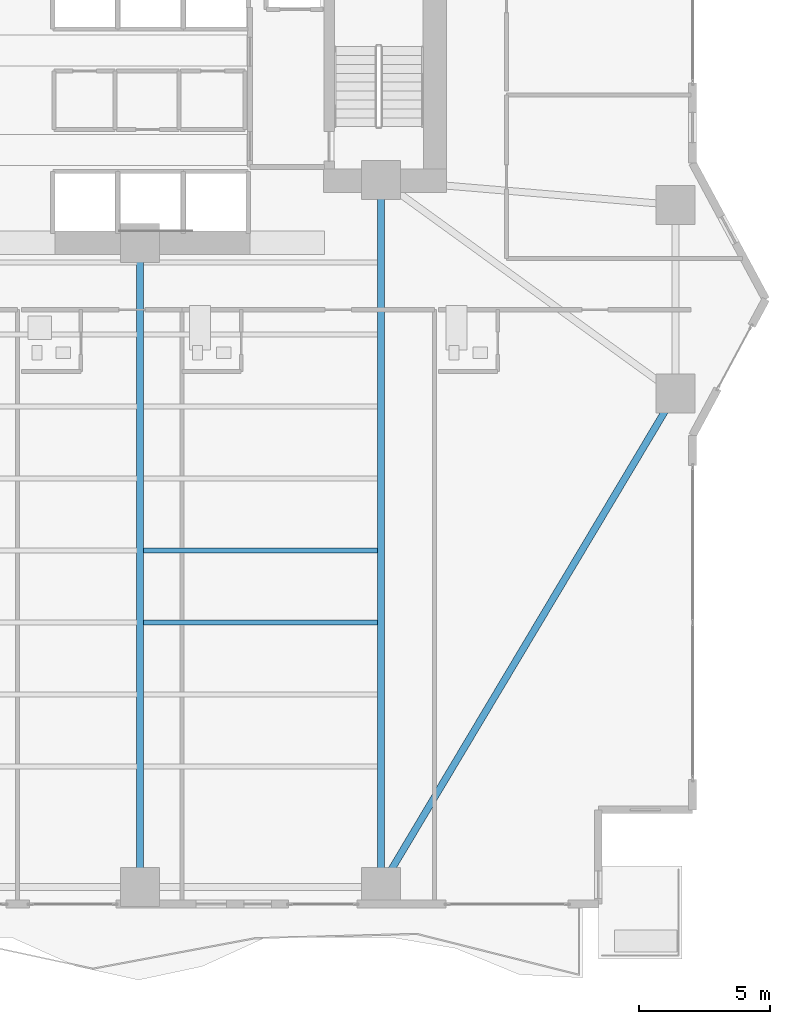
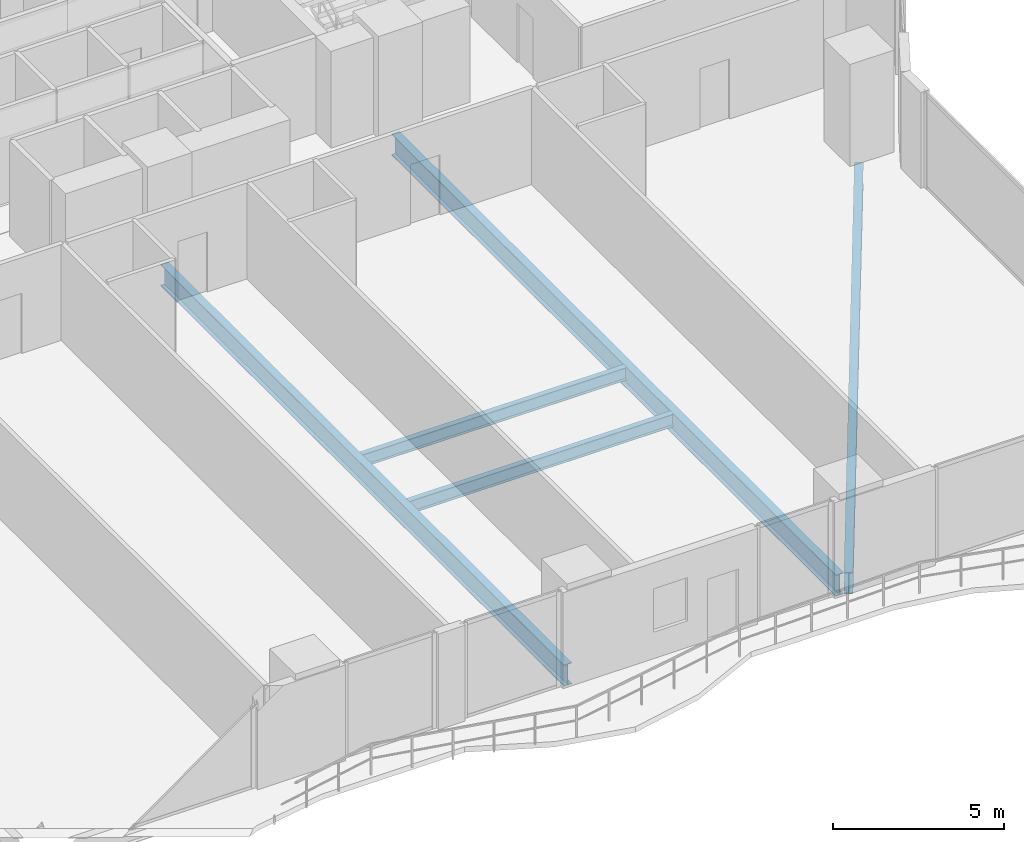
# One storey, part 9 of 30: 5 beams.
"""IFC4 building model written with IfcOpenShell, lengths in metres."""

import ifcopenshell
import ifcopenshell.guid

model = None  # the IFC model being written
_history = None  # IfcOwnerHistory: only IFC2X3 demands one
_inside = {}  # id of a spatial element -> (the spatial element, [elements in it])
_under = {}  # id of a project, library or spatial element -> (it, [spatial elements below it])
_declared = {}  # id of a project -> (the project, [libraries it declares])
_typed = {}  # id of a type object -> (the type object, [elements of that type])
_made_of = {}  # id of a material, layer set ... -> (it, [elements and type objects made of it])


def new_model(schema):
    """Start an empty IFC model of exactly this schema.

    Asked for "IFC4X3", IfcOpenShell would pick the latest addendum, in which some entities
    have other attributes; the version numbers below select the first issue.
    IFC2X3 requires an IfcOwnerHistory on every rooted entity: one is made here for all.
    """
    global model, _history
    if schema == "IFC4X3":
        model = ifcopenshell.file(schema_version=(4, 3, 0, 0))
    else:
        model = ifcopenshell.file(schema=schema)
    _inside.clear()
    _under.clear()
    _declared.clear()
    _typed.clear()
    _made_of.clear()
    _history = None
    if model.schema == "IFC2X3":
        org = make("IfcOrganization", Name="unknown")
        user = make(
            "IfcPersonAndOrganization",
            ThePerson=make("IfcPerson", FamilyName="unknown"),
            TheOrganization=org,
        )
        app = make(
            "IfcApplication",
            ApplicationDeveloper=org,
            Version="unknown",
            ApplicationFullName="unknown",
            ApplicationIdentifier="unknown",
        )
        _history = make(
            "IfcOwnerHistory",
            OwningUser=user,
            OwningApplication=app,
            ChangeAction="ADDED",
            CreationDate=0,
        )
    return model


def make(cls, **values):
    """One entity of the class cls with the attributes given. An attribute that is None is left unset."""
    return model.create_entity(
        cls, **{name: value for name, value in values.items() if value is not None}
    )


def rooted(cls, **values):
    """An entity with a GlobalId (a new one), such as an element, a storey or a relation."""
    return make(cls, GlobalId=ifcopenshell.guid.new(), OwnerHistory=_history, **values)


def si_unit(unit_type, name, prefix=None):
    """IfcSIUnit, for example si_unit("LENGTHUNIT", "METRE", prefix="MILLI")."""
    return make("IfcSIUnit", UnitType=unit_type, Prefix=prefix, Name=name)


def assignment(units):
    """IfcUnitAssignment: the units of a project."""
    return None if units is None else make("IfcUnitAssignment", Units=units)


def point(xyz):
    """IfcCartesianPoint."""
    return None if xyz is None else make("IfcCartesianPoint", Coordinates=xyz)


def direction(xyz):
    """IfcDirection."""
    return None if xyz is None else make("IfcDirection", DirectionRatios=xyz)


def frame(location, z_axis=None, x_axis=None):
    """IfcAxis2Placement3D, a coordinate frame: its origin and axes. An axis left out is left unset."""
    return make(
        "IfcAxis2Placement3D",
        Location=point(location),
        Axis=direction(z_axis),
        RefDirection=direction(x_axis),
    )


def frame_2d(location, x_axis=None):
    """IfcAxis2Placement2D, a coordinate frame in the plane: its origin and x axis."""
    return make(
        "IfcAxis2Placement2D", Location=point(location), RefDirection=direction(x_axis)
    )


def origin():
    """The frame at (0, 0, 0) with its axes left unset."""
    return frame((0.0, 0.0, 0.0))


def origin_2d():
    """The frame at (0, 0) in the plane with its x axis left unset."""
    return frame_2d((0.0, 0.0))


def place(relative_to, where):
    """IfcLocalPlacement: puts the frame where relative to a parent placement (None: the world)."""
    return make(
        "IfcLocalPlacement", PlacementRelTo=relative_to, RelativePlacement=where
    )


def context(
    kind, dimensions, precision=None, world=None, true_north=None, identifier=None
):
    """IfcGeometricRepresentationContext, for example the 3D "Model" context."""
    return make(
        "IfcGeometricRepresentationContext",
        ContextIdentifier=identifier,
        ContextType=kind,
        CoordinateSpaceDimension=dimensions,
        Precision=precision,
        WorldCoordinateSystem=world,
        TrueNorth=true_north,
    )


def subcontext(parent, identifier, kind, view, scale=None):
    """IfcGeometricRepresentationSubContext, for example "Body" below "Model"."""
    return make(
        "IfcGeometricRepresentationSubContext",
        ContextIdentifier=identifier,
        ContextType=kind,
        ParentContext=parent,
        TargetScale=scale,
        TargetView=view,
    )


def project(units=None, contexts=None):
    """IfcProject with its units and contexts."""
    return rooted(
        "IfcProject",
        Name="project",
        RepresentationContexts=contexts,
        UnitsInContext=assignment(units),
    )


def spatial(cls, under=None, at=None, **own):
    """A site, building, storey or space (cls), placed at a placement, below another one or the project."""
    s = rooted(cls, ObjectPlacement=at, **own)
    if under is not None:
        _under.setdefault(under.id(), (under, []))[1].append(s)
    return s


def profile(cls, at=None, kind="AREA", **sizes):
    """A parametric profile (cls). Its sizes go by their IFC names, for example OverallWidth=200.0."""
    return make(cls, ProfileType=kind, Position=at, **sizes)


def i_section(**sizes):
    """IfcIShapeProfileDef."""
    return profile("IfcIShapeProfileDef", **sizes)


def extrude(swept, where, along, depth):
    """IfcExtrudedAreaSolid: the profile swept, set in the frame where, extruded along a direction by depth."""
    return make(
        "IfcExtrudedAreaSolid",
        SweptArea=swept,
        Position=where,
        ExtrudedDirection=direction(along),
        Depth=depth,
    )


def shape(context_of_items, identifier, shape_type, items):
    """IfcShapeRepresentation: the items that make up one representation, for example the "Body"."""
    return make(
        "IfcShapeRepresentation",
        ContextOfItems=context_of_items,
        RepresentationIdentifier=identifier,
        RepresentationType=shape_type,
        Items=items,
    )


def material(Name=None, Category=None):
    """IfcMaterial."""
    return make("IfcMaterial", Name=Name, Category=Category)


def material_profile(
    of_material, cross_section, Name=None, Category=None, Priority=None
):
    """IfcMaterialProfile: a cross section and its material."""
    return make(
        "IfcMaterialProfile",
        Name=Name,
        Material=of_material,
        Profile=cross_section,
        Priority=Priority,
        Category=Category,
    )


def profile_set(profiles, Name=None, composite=None):
    """IfcMaterialProfileSet."""
    return make(
        "IfcMaterialProfileSet",
        Name=Name,
        MaterialProfiles=profiles,
        CompositeProfile=composite,
    )


def made_of(thing, what):
    """Note that an element or type object is made of a material, layer set ...; save() writes the relation."""
    if what is not None:
        _made_of.setdefault(what.id(), (what, []))[1].append(thing)
    return thing


def type_object(cls, material=None, **own):
    """A type object (cls), such as IfcWallType, which elements share."""
    return made_of(rooted(cls, **own), material)


def element(
    cls,
    number,
    at=None,
    inside=None,
    cuts=None,
    type_object=None,
    material=None,
    context=None,
    identifier="Body",
    shape_type=None,
    held_by="IfcProductDefinitionShape",
    body=None,
    shapes=None,
    **own,
):
    """One element of the class cls, such as IfcWall. Its Tag is "e" and its number.

    at: its placement. inside: the storey or other place that contains it. cuts: it is an
    opening in that element (IfcRelVoidsElement). A single representation is given by context,
    identifier, shape_type and body (its items); several are given by shapes. held_by: the class
    of the entity that holds the representations. save() writes the other relations.
    """
    e = rooted(cls, Tag="e%d" % number, ObjectPlacement=at, **own)
    if body is not None:
        shapes = [shape(context, identifier, shape_type, body)]
    if shapes is not None:
        e.Representation = make(held_by, Representations=shapes)
    if inside is not None:
        _inside.setdefault(inside.id(), (inside, []))[1].append(e)
    if cuts is not None:
        rooted(
            "IfcRelVoidsElement", RelatingBuildingElement=cuts, RelatedOpeningElement=e
        )
    if type_object is not None:
        _typed.setdefault(type_object.id(), (type_object, []))[1].append(e)
    return made_of(e, material)


def aggregate(whole, parts):
    """IfcRelAggregates: a whole, such as a stair, and the parts it consists of."""
    return rooted("IfcRelAggregates", RelatingObject=whole, RelatedObjects=parts)


def save(model, path):
    """Write the relations noted so far, then the file.

    IfcRelAggregates (storeys below a building ...), IfcRelContainedInSpatialStructure (elements
    in a storey), IfcRelDefinesByType, IfcRelAssociatesMaterial and IfcRelDeclares: one each for
    every whole, place, type object, material and project.
    """
    for whole, parts in _under.values():
        aggregate(whole, parts)
    for where, things in _inside.values():
        rooted(
            "IfcRelContainedInSpatialStructure",
            RelatedElements=things,
            RelatingStructure=where,
        )
    for kind, things in _typed.values():
        rooted("IfcRelDefinesByType", RelatedObjects=things, RelatingType=kind)
    for what, things in _made_of.values():
        rooted("IfcRelAssociatesMaterial", RelatedObjects=things, RelatingMaterial=what)
    for by, libraries in _declared.values():
        rooted("IfcRelDeclares", RelatingContext=by, RelatedDefinitions=libraries)
    model.write(path)


model = new_model("IFC4")

# Units and contexts
model_context = context("Model", 3, precision=1e-05, world=origin(), true_north=direction((0.0, 1.0)))
body_context = subcontext(model_context, "Body", "Model", "MODEL_VIEW")
ifc_project = project(units=[si_unit("LENGTHUNIT", "METRE"), si_unit("AREAUNIT", "SQUARE_METRE"), si_unit("VOLUMEUNIT", "CUBIC_METRE"), si_unit("PLANEANGLEUNIT", "RADIAN"), si_unit("MASSUNIT", "GRAM", prefix="KILO")], contexts=[model_context])

# Site, building, storey
site_placement = place(None, origin())
site = spatial("IfcSite", under=ifc_project, at=site_placement, CompositionType="ELEMENT")
building_placement = place(site_placement, origin())
building = spatial("IfcBuilding", under=site, at=building_placement, Name="Zuhayl Quay Hotel", CompositionType="ELEMENT")
storey_placement = place(building_placement, frame((0.0, 0.0, 82.35009765625)))
storey = spatial("IfcBuildingStorey", under=building, at=storey_placement, Name="L20", CompositionType="ELEMENT", Elevation=82.35009765625)

# Beams
ifc_material = material(Name="Steel ASTM A992 Grade 50", Category="steel")
ifc_material_profile_1 = material_profile(ifc_material, i_section(OverallWidth=0.26708984375, OverallDepth=0.761962890625, WebThickness=0.014404296875, FlangeThickness=0.021484375, at=origin_2d()), Name="W30X116")
ifc_profile_set_1 = profile_set([ifc_material_profile_1], Name="Steel ASTM A992 Grade 50")
beam_type_1 = type_object("IfcBeamType", Name="BM_B1_W30X116", PredefinedType="BEAM", material=ifc_profile_set_1)
beam_1_placement = place(storey_placement, frame((14.05615234375, -22.020751953125, -0.60107421875), z_axis=(0.512482593247, 0.85869761361, 0.0), x_axis=(-0.85869761361, 0.512482593247, 0.0)))
element("IfcBeam", 1, at=beam_1_placement, inside=storey, type_object=beam_type_1, Name="L20 Floor Beam RG_L20_04", PredefinedType="BEAM", context=body_context, shape_type="SweptSolid", body=[
    extrude(i_section(OverallWidth=0.26708984375, OverallDepth=0.761962890625, WebThickness=0.014404296875, FlangeThickness=0.021484375, at=origin_2d()), origin(), (0.0, 0.0, 1.0), 20.9521484375),
])
beam_2_placement = place(storey_placement, frame((4.60009765625, -21.949951171875, -0.60107421875), z_axis=(0.0, 1.0, 0.0), x_axis=(-1.0, 0.0, 0.0)))
element("IfcBeam", 2, at=beam_2_placement, inside=storey, type_object=beam_type_1, Name="L20 Floor Beam FG_S_L20_3", PredefinedType="BEAM", context=body_context, shape_type="SweptSolid", body=[
    extrude(i_section(OverallWidth=0.26708984375, OverallDepth=0.761962890625, WebThickness=0.014404296875, FlangeThickness=0.021484375, at=origin_2d()), origin(), (0.0, 0.0, 1.0), 23.64990234375),
])
beam_3_placement = place(storey_placement, frame((13.800048828125, -21.949951171875, -0.60107421875), z_axis=(0.0, 1.0, 0.0), x_axis=(-1.0, 0.0, 0.0)))
element("IfcBeam", 3, at=beam_3_placement, inside=storey, type_object=beam_type_1, Name="L20 Floor Beam FG_S_L20_4", PredefinedType="BEAM", context=body_context, shape_type="SweptSolid", body=[
    extrude(i_section(OverallWidth=0.26708984375, OverallDepth=0.761962890625, WebThickness=0.014404296875, FlangeThickness=0.021484375, at=origin_2d()), origin(), (0.0, 0.0, 1.0), 26.050048828125),
])
ifc_material_profile_2 = material_profile(ifc_material, i_section(OverallWidth=0.18994140625, OverallDepth=0.45703125, WebThickness=0.009033203125, FlangeThickness=0.014404296875, at=origin_2d()), Name="W18X50")
ifc_profile_set_2 = profile_set([ifc_material_profile_2], Name="Steel ASTM A992 Grade 50")
beam_type_2 = type_object("IfcBeamType", Name="BM_J2_W18X50", PredefinedType="JOIST", material=ifc_profile_set_2)
for number, where, z_axis, x_axis, name in (
    (4, (4.7255859375, -12.35009765625, -0.448486328125), (1.0, 0.0, 0.0), (0.0, 1.0, 0.0), "L20 Floor Beam FJ_L20_5_3"),
    (5, (4.7255859375, -9.60009765625, -0.448486328125), (1.0, 0.0, 0.0), (0.0, 1.0, 0.0), "L20 Floor Beam FJ_L20_6_3"),
):
    element("IfcBeam", number, at=place(storey_placement, frame(where, z_axis=z_axis, x_axis=x_axis)), inside=storey, type_object=beam_type_2, Name=name, PredefinedType="JOIST", context=body_context, shape_type="SweptSolid", body=[
        extrude(i_section(OverallWidth=0.18994140625, OverallDepth=0.45703125, WebThickness=0.009033203125, FlangeThickness=0.014404296875, at=origin_2d()), origin(), (0.0, 0.0, 1.0), 8.948974609375),
    ])

save(model, "model.ifc")
